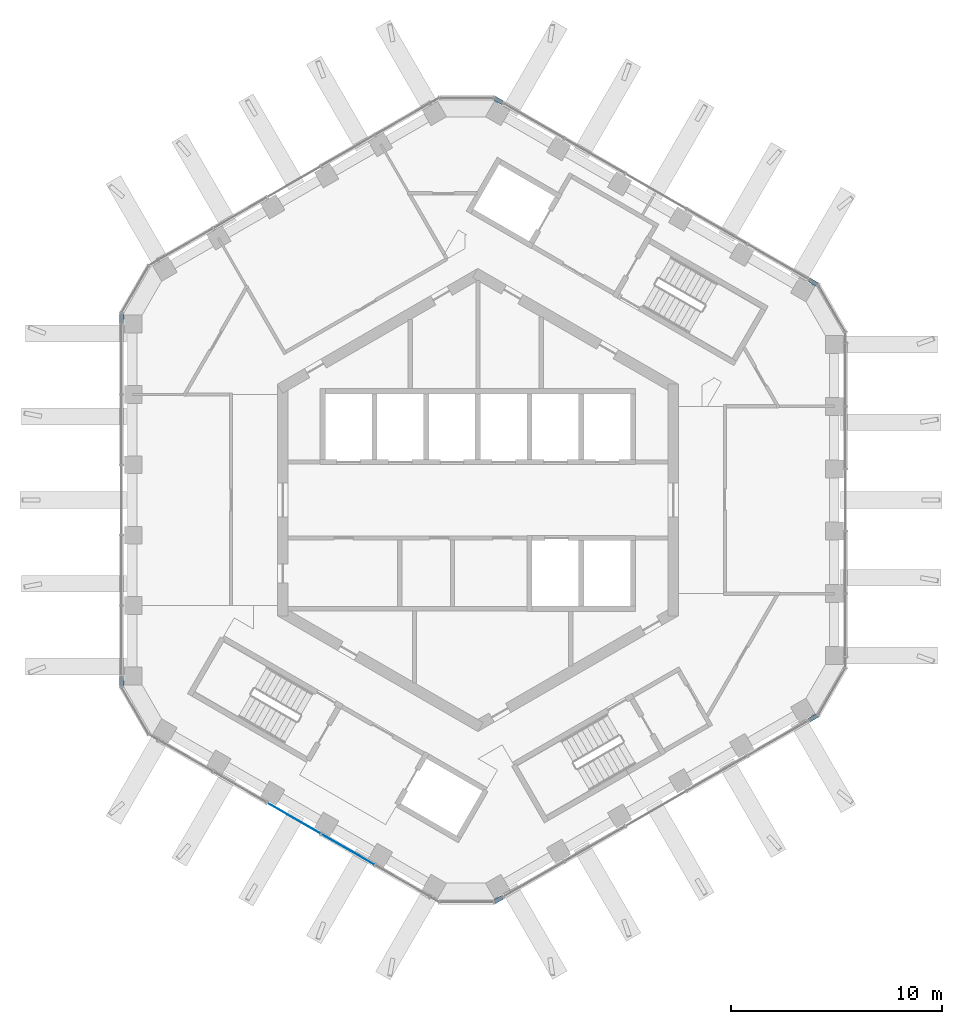
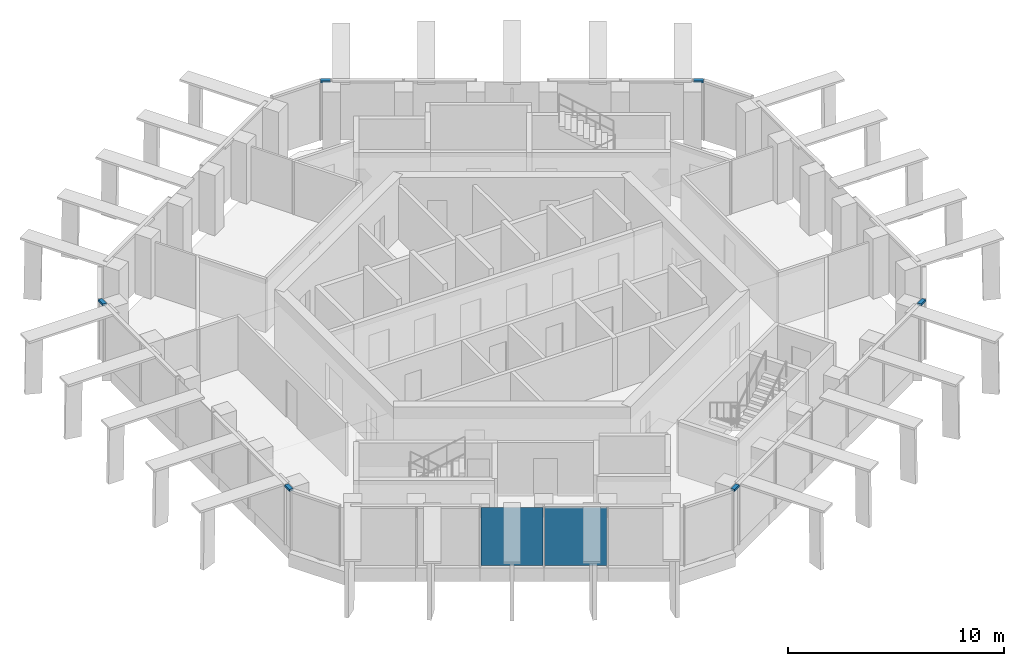
# One storey, part 6 of 17: 6 members, 2 plates, 7 elements without a shape of their own.
"""IFC4 building model written with IfcOpenShell, lengths in metres."""

import ifcopenshell
import ifcopenshell.guid

model = None  # the IFC model being written
_history = None  # IfcOwnerHistory: only IFC2X3 demands one
_inside = {}  # id of a spatial element -> (the spatial element, [elements in it])
_under = {}  # id of a project, library or spatial element -> (it, [spatial elements below it])
_declared = {}  # id of a project -> (the project, [libraries it declares])
_typed = {}  # id of a type object -> (the type object, [elements of that type])
_made_of = {}  # id of a material, layer set ... -> (it, [elements and type objects made of it])


def new_model(schema):
    """Start an empty IFC model of exactly this schema.

    Asked for "IFC4X3", IfcOpenShell would pick the latest addendum, in which some entities
    have other attributes; the version numbers below select the first issue.
    IFC2X3 requires an IfcOwnerHistory on every rooted entity: one is made here for all.
    """
    global model, _history
    if schema == "IFC4X3":
        model = ifcopenshell.file(schema_version=(4, 3, 0, 0))
    else:
        model = ifcopenshell.file(schema=schema)
    _inside.clear()
    _under.clear()
    _declared.clear()
    _typed.clear()
    _made_of.clear()
    _history = None
    if model.schema == "IFC2X3":
        org = make("IfcOrganization", Name="unknown")
        user = make(
            "IfcPersonAndOrganization",
            ThePerson=make("IfcPerson", FamilyName="unknown"),
            TheOrganization=org,
        )
        app = make(
            "IfcApplication",
            ApplicationDeveloper=org,
            Version="unknown",
            ApplicationFullName="unknown",
            ApplicationIdentifier="unknown",
        )
        _history = make(
            "IfcOwnerHistory",
            OwningUser=user,
            OwningApplication=app,
            ChangeAction="ADDED",
            CreationDate=0,
        )
    return model


def make(cls, **values):
    """One entity of the class cls with the attributes given. An attribute that is None is left unset."""
    return model.create_entity(
        cls, **{name: value for name, value in values.items() if value is not None}
    )


def rooted(cls, **values):
    """An entity with a GlobalId (a new one), such as an element, a storey or a relation."""
    return make(cls, GlobalId=ifcopenshell.guid.new(), OwnerHistory=_history, **values)


def si_unit(unit_type, name, prefix=None):
    """IfcSIUnit, for example si_unit("LENGTHUNIT", "METRE", prefix="MILLI")."""
    return make("IfcSIUnit", UnitType=unit_type, Prefix=prefix, Name=name)


def assignment(units):
    """IfcUnitAssignment: the units of a project."""
    return None if units is None else make("IfcUnitAssignment", Units=units)


def point(xyz):
    """IfcCartesianPoint."""
    return None if xyz is None else make("IfcCartesianPoint", Coordinates=xyz)


def direction(xyz):
    """IfcDirection."""
    return None if xyz is None else make("IfcDirection", DirectionRatios=xyz)


def frame(location, z_axis=None, x_axis=None):
    """IfcAxis2Placement3D, a coordinate frame: its origin and axes. An axis left out is left unset."""
    return make(
        "IfcAxis2Placement3D",
        Location=point(location),
        Axis=direction(z_axis),
        RefDirection=direction(x_axis),
    )


def frame_2d(location, x_axis=None):
    """IfcAxis2Placement2D, a coordinate frame in the plane: its origin and x axis."""
    return make(
        "IfcAxis2Placement2D", Location=point(location), RefDirection=direction(x_axis)
    )


def origin():
    """The frame at (0, 0, 0) with its axes left unset."""
    return frame((0.0, 0.0, 0.0))


def origin_2d():
    """The frame at (0, 0) in the plane with its x axis left unset."""
    return frame_2d((0.0, 0.0))


def place(relative_to, where):
    """IfcLocalPlacement: puts the frame where relative to a parent placement (None: the world)."""
    return make(
        "IfcLocalPlacement", PlacementRelTo=relative_to, RelativePlacement=where
    )


def context(
    kind, dimensions, precision=None, world=None, true_north=None, identifier=None
):
    """IfcGeometricRepresentationContext, for example the 3D "Model" context."""
    return make(
        "IfcGeometricRepresentationContext",
        ContextIdentifier=identifier,
        ContextType=kind,
        CoordinateSpaceDimension=dimensions,
        Precision=precision,
        WorldCoordinateSystem=world,
        TrueNorth=true_north,
    )


def subcontext(parent, identifier, kind, view, scale=None):
    """IfcGeometricRepresentationSubContext, for example "Body" below "Model"."""
    return make(
        "IfcGeometricRepresentationSubContext",
        ContextIdentifier=identifier,
        ContextType=kind,
        ParentContext=parent,
        TargetScale=scale,
        TargetView=view,
    )


def project(units=None, contexts=None):
    """IfcProject with its units and contexts."""
    return rooted(
        "IfcProject",
        Name="project",
        RepresentationContexts=contexts,
        UnitsInContext=assignment(units),
    )


def spatial(cls, under=None, at=None, **own):
    """A site, building, storey or space (cls), placed at a placement, below another one or the project."""
    s = rooted(cls, ObjectPlacement=at, **own)
    if under is not None:
        _under.setdefault(under.id(), (under, []))[1].append(s)
    return s


def profile(cls, at=None, kind="AREA", **sizes):
    """A parametric profile (cls). Its sizes go by their IFC names, for example OverallWidth=200.0."""
    return make(cls, ProfileType=kind, Position=at, **sizes)


def rectangle(**sizes):
    """IfcRectangleProfileDef."""
    return profile("IfcRectangleProfileDef", **sizes)


def extrude(swept, where, along, depth):
    """IfcExtrudedAreaSolid: the profile swept, set in the frame where, extruded along a direction by depth."""
    return make(
        "IfcExtrudedAreaSolid",
        SweptArea=swept,
        Position=where,
        ExtrudedDirection=direction(along),
        Depth=depth,
    )


def shape(context_of_items, identifier, shape_type, items):
    """IfcShapeRepresentation: the items that make up one representation, for example the "Body"."""
    return make(
        "IfcShapeRepresentation",
        ContextOfItems=context_of_items,
        RepresentationIdentifier=identifier,
        RepresentationType=shape_type,
        Items=items,
    )


def material(Name=None, Category=None):
    """IfcMaterial."""
    return make("IfcMaterial", Name=Name, Category=Category)


def layer(
    of_material, thickness, ventilated=None, Name=None, Category=None, Priority=None
):
    """IfcMaterialLayer: one layer of a wall or slab, of a material (None: an air gap)."""
    return make(
        "IfcMaterialLayer",
        Material=of_material,
        LayerThickness=thickness,
        IsVentilated=ventilated,
        Name=Name,
        Category=Category,
        Priority=Priority,
    )


def layer_set(layers, Name=None):
    """IfcMaterialLayerSet."""
    return make("IfcMaterialLayerSet", MaterialLayers=layers, LayerSetName=Name)


def material_profile(
    of_material, cross_section, Name=None, Category=None, Priority=None
):
    """IfcMaterialProfile: a cross section and its material."""
    return make(
        "IfcMaterialProfile",
        Name=Name,
        Material=of_material,
        Profile=cross_section,
        Priority=Priority,
        Category=Category,
    )


def profile_set(profiles, Name=None, composite=None):
    """IfcMaterialProfileSet."""
    return make(
        "IfcMaterialProfileSet",
        Name=Name,
        MaterialProfiles=profiles,
        CompositeProfile=composite,
    )


def made_of(thing, what):
    """Note that an element or type object is made of a material, layer set ...; save() writes the relation."""
    if what is not None:
        _made_of.setdefault(what.id(), (what, []))[1].append(thing)
    return thing


def type_object(cls, material=None, **own):
    """A type object (cls), such as IfcWallType, which elements share."""
    return made_of(rooted(cls, **own), material)


def element(
    cls,
    number,
    at=None,
    inside=None,
    cuts=None,
    type_object=None,
    material=None,
    context=None,
    identifier="Body",
    shape_type=None,
    held_by="IfcProductDefinitionShape",
    body=None,
    shapes=None,
    **own,
):
    """One element of the class cls, such as IfcWall. Its Tag is "e" and its number.

    at: its placement. inside: the storey or other place that contains it. cuts: it is an
    opening in that element (IfcRelVoidsElement). A single representation is given by context,
    identifier, shape_type and body (its items); several are given by shapes. held_by: the class
    of the entity that holds the representations. save() writes the other relations.
    """
    e = rooted(cls, Tag="e%d" % number, ObjectPlacement=at, **own)
    if body is not None:
        shapes = [shape(context, identifier, shape_type, body)]
    if shapes is not None:
        e.Representation = make(held_by, Representations=shapes)
    if inside is not None:
        _inside.setdefault(inside.id(), (inside, []))[1].append(e)
    if cuts is not None:
        rooted(
            "IfcRelVoidsElement", RelatingBuildingElement=cuts, RelatedOpeningElement=e
        )
    if type_object is not None:
        _typed.setdefault(type_object.id(), (type_object, []))[1].append(e)
    return made_of(e, material)


def aggregate(whole, parts):
    """IfcRelAggregates: a whole, such as a stair, and the parts it consists of."""
    return rooted("IfcRelAggregates", RelatingObject=whole, RelatedObjects=parts)


def save(model, path):
    """Write the relations noted so far, then the file.

    IfcRelAggregates (storeys below a building ...), IfcRelContainedInSpatialStructure (elements
    in a storey), IfcRelDefinesByType, IfcRelAssociatesMaterial and IfcRelDeclares: one each for
    every whole, place, type object, material and project.
    """
    for whole, parts in _under.values():
        aggregate(whole, parts)
    for where, things in _inside.values():
        rooted(
            "IfcRelContainedInSpatialStructure",
            RelatedElements=things,
            RelatingStructure=where,
        )
    for kind, things in _typed.values():
        rooted("IfcRelDefinesByType", RelatedObjects=things, RelatingType=kind)
    for what, things in _made_of.values():
        rooted("IfcRelAssociatesMaterial", RelatedObjects=things, RelatingMaterial=what)
    for by, libraries in _declared.values():
        rooted("IfcRelDeclares", RelatingContext=by, RelatedDefinitions=libraries)
    model.write(path)


model = new_model("IFC4")

# Units and contexts
model_context = context("Model", 3, precision=1e-05, world=origin(), true_north=direction((0.0, 1.0)))
body_context = subcontext(model_context, "Body", "Model", "MODEL_VIEW")
ifc_project = project(units=[si_unit("LENGTHUNIT", "METRE"), si_unit("AREAUNIT", "SQUARE_METRE"), si_unit("VOLUMEUNIT", "CUBIC_METRE"), si_unit("PLANEANGLEUNIT", "RADIAN"), si_unit("MASSUNIT", "GRAM", prefix="KILO")], contexts=[model_context])

# Site, building, storey
site_placement = place(None, origin())
site = spatial("IfcSite", under=ifc_project, at=site_placement, CompositionType="ELEMENT")
building_placement = place(site_placement, origin())
building = spatial("IfcBuilding", under=site, at=building_placement, Name="Ayvan Gate Tower", CompositionType="ELEMENT")
storey_placement = place(building_placement, frame((0.0, 0.0, 249.5)))
storey = spatial("IfcBuildingStorey", under=building, at=storey_placement, Name="L67", CompositionType="ELEMENT", Elevation=249.5)

# Curtain wall, member
ifc_material_1 = material(Name="Bronze anodised aluminium", Category="aluminium")
ifc_layer_1 = layer(ifc_material_1, 0.199951171875)
ifc_layer_set_1 = layer_set([ifc_layer_1], Name="Bronze anodised aluminium")
curtain_wall_type_1 = type_object("IfcCurtainWallType", Name="Stick curtain wall CW-6", PredefinedType="NOTDEFINED", material=ifc_layer_set_1)
curtain_wall_1_placement = place(storey_placement, origin())
curtain_wall_1 = element("IfcCurtainWall", 1, at=curtain_wall_1_placement, inside=storey, type_object=curtain_wall_type_1, Name="Stick curtain wall CW-6 L67", PredefinedType="NOTDEFINED")
ifc_material_profile = material_profile(ifc_material_1, rectangle(XDim=0.199951171875, YDim=0.1201171875, at=origin_2d()), Name="Stick curtain wall CW-6 transom 200 x 120")
ifc_profile_set = profile_set([ifc_material_profile], Name="Bronze anodised aluminium")
member_type = type_object("IfcMemberType", Name="Stick curtain wall CW-6 transom 200 x 120", PredefinedType="USERDEFINED", material=ifc_profile_set)
member_1_placement = place(storey_placement, frame((-16.87841796875, 8.845458984375, 3.340087890625), z_axis=(0.0, -1.0, 0.0), x_axis=(1.0, 0.0, 0.0)))
member_1 = element("IfcMember", 2, at=member_1_placement, type_object=member_type, Name="CW-6 transom 2", ObjectType="TRANSOM", PredefinedType="USERDEFINED", context=body_context, shape_type="SweptSolid", body=[
    extrude(rectangle(XDim=0.199951171875, YDim=0.1201171875, at=origin_2d()), origin(), (0.0, 0.0, 1.0), 0.449951171875),
])
aggregate(curtain_wall_1, [member_1])

curtain_wall_2_placement = place(storey_placement, origin())
curtain_wall_2 = element("IfcCurtainWall", 3, at=curtain_wall_2_placement, inside=storey, type_object=curtain_wall_type_1, Name="Stick curtain wall CW-6 L67", PredefinedType="NOTDEFINED")
member_2_placement = place(storey_placement, frame((-16.87841796875, -8.3955078125, 3.340087890625), z_axis=(0.0, -1.0, 0.0), x_axis=(1.0, 0.0, 0.0)))
member_2 = element("IfcMember", 4, at=member_2_placement, type_object=member_type, Name="CW-6 transom 1", ObjectType="TRANSOM", PredefinedType="USERDEFINED", context=body_context, shape_type="SweptSolid", body=[
    extrude(rectangle(XDim=0.199951171875, YDim=0.1201171875, at=origin_2d()), origin(), (0.0, 0.0, 1.0), 0.449951171875),
])
aggregate(curtain_wall_2, [member_2])

curtain_wall_3_placement = place(storey_placement, origin())
curtain_wall_3 = element("IfcCurtainWall", 5, at=curtain_wall_3_placement, inside=storey, type_object=curtain_wall_type_1, Name="Stick curtain wall CW-6 L67", PredefinedType="NOTDEFINED")
member_3_placement = place(storey_placement, frame((0.77880859375, -19.039794921875, 3.340087890625), z_axis=(0.866131372301, 0.499816412211, 0.0), x_axis=(-0.499816412211, 0.866131372301, 0.0)))
member_3 = element("IfcMember", 6, at=member_3_placement, type_object=member_type, Name="CW-6 transom 2", ObjectType="TRANSOM", PredefinedType="USERDEFINED", context=body_context, shape_type="SweptSolid", body=[
    extrude(rectangle(XDim=0.199951171875, YDim=0.1201171875, at=origin_2d()), origin(), (0.0, 0.0, 1.0), 0.449951171875),
])
aggregate(curtain_wall_3, [member_3])

curtain_wall_4_placement = place(storey_placement, origin())
curtain_wall_4 = element("IfcCurtainWall", 7, at=curtain_wall_4_placement, inside=storey, type_object=curtain_wall_type_1, Name="Stick curtain wall CW-6 L67", PredefinedType="NOTDEFINED")
member_4_placement = place(storey_placement, frame((15.7099609375, -10.41943359375, 3.340087890625), z_axis=(0.865896406789, 0.500223362819, 0.0), x_axis=(-0.500223362819, 0.865896406789, 0.0)))
member_4 = element("IfcMember", 8, at=member_4_placement, type_object=member_type, Name="CW-6 transom 1", ObjectType="TRANSOM", PredefinedType="USERDEFINED", context=body_context, shape_type="SweptSolid", body=[
    extrude(rectangle(XDim=0.199951171875, YDim=0.1201171875, at=origin_2d()), origin(), (0.0, 0.0, 1.0), 0.449951171875),
])
aggregate(curtain_wall_4, [member_4])

curtain_wall_5_placement = place(storey_placement, origin())
curtain_wall_5 = element("IfcCurtainWall", 9, at=curtain_wall_5_placement, inside=storey, type_object=curtain_wall_type_1, Name="Stick curtain wall CW-6 L67", PredefinedType="NOTDEFINED")
member_5_placement = place(storey_placement, frame((16.099609375, 10.1943359375, 3.340087890625), z_axis=(-0.865896406789, 0.500223362819, 0.0), x_axis=(-0.500223362819, -0.865896406789, 0.0)))
member_5 = element("IfcMember", 10, at=member_5_placement, type_object=member_type, Name="CW-6 transom 2", ObjectType="TRANSOM", PredefinedType="USERDEFINED", context=body_context, shape_type="SweptSolid", body=[
    extrude(rectangle(XDim=0.199951171875, YDim=0.1201171875, at=origin_2d()), origin(), (0.0, 0.0, 1.0), 0.449951171875),
])
aggregate(curtain_wall_5, [member_5])

curtain_wall_6_placement = place(storey_placement, origin())
curtain_wall_6 = element("IfcCurtainWall", 11, at=curtain_wall_6_placement, inside=storey, type_object=curtain_wall_type_1, Name="Stick curtain wall CW-6 L67", PredefinedType="NOTDEFINED")
member_6_placement = place(storey_placement, frame((1.16845703125, 18.81494140625, 3.340087890625), z_axis=(-0.866131372301, 0.499816412211, 0.0), x_axis=(-0.499816412211, -0.866131372301, 0.0)))
member_6 = element("IfcMember", 12, at=member_6_placement, type_object=member_type, Name="CW-6 transom 1", ObjectType="TRANSOM", PredefinedType="USERDEFINED", context=body_context, shape_type="SweptSolid", body=[
    extrude(rectangle(XDim=0.199951171875, YDim=0.1201171875, at=origin_2d()), origin(), (0.0, 0.0, 1.0), 0.449951171875),
])
aggregate(curtain_wall_6, [member_6])

# Curtain wall, plates
ifc_layer_2 = layer(ifc_material_1, 0.199951171875)
ifc_layer_set_2 = layer_set([ifc_layer_2], Name="Bronze anodised aluminium")
curtain_wall_type_2 = type_object("IfcCurtainWallType", Name="Stick curtain wall CW-2", PredefinedType="NOTDEFINED", material=ifc_layer_set_2)
curtain_wall_7_placement = place(storey_placement, origin())
curtain_wall_7 = element("IfcCurtainWall", 13, at=curtain_wall_7_placement, inside=storey, type_object=curtain_wall_type_2, Name="Stick curtain wall CW-2 L67", PredefinedType="NOTDEFINED")
ifc_material_2 = material(Name="Clear low-iron laminated glass", Category="glass")
ifc_layer_3 = layer(ifc_material_2, 0.028076171875)
ifc_layer_set_3 = layer_set([ifc_layer_3], Name="Clear low-iron laminated glass")
plate_type = type_object("IfcPlateType", Name="Stick curtain wall CW-2 glass panel", PredefinedType="CURTAIN_PANEL", material=ifc_layer_set_3)
plate_1_placement = place(storey_placement, frame((-8.7060546875, -15.079833984375, 0.0), z_axis=(0.0, 0.0, 1.0), x_axis=(0.866025403784, -0.5, 0.0)))
plate_1 = element("IfcPlate", 14, at=plate_1_placement, type_object=plate_type, Name="CW-2 glass panel 3", PredefinedType="CURTAIN_PANEL", context=body_context, shape_type="SweptSolid", body=[
    extrude(rectangle(XDim=2.876953125, YDim=0.028076171875, at=origin_2d()), origin(), (0.0, 0.0, 1.0), 3.280029296875),
])
plate_2_placement = place(storey_placement, frame((-6.154296875, -16.552978515625, 0.0), z_axis=(0.0, 0.0, 1.0), x_axis=(0.866025403784, -0.5, 0.0)))
plate_2 = element("IfcPlate", 15, at=plate_2_placement, type_object=plate_type, Name="CW-2 glass panel 4", PredefinedType="CURTAIN_PANEL", context=body_context, shape_type="SweptSolid", body=[
    extrude(rectangle(XDim=2.8759765625, YDim=0.028076171875, at=origin_2d()), origin(), (0.0, 0.0, 1.0), 3.280029296875),
])
aggregate(curtain_wall_7, [plate_1, plate_2])

save(model, "model.ifc")
